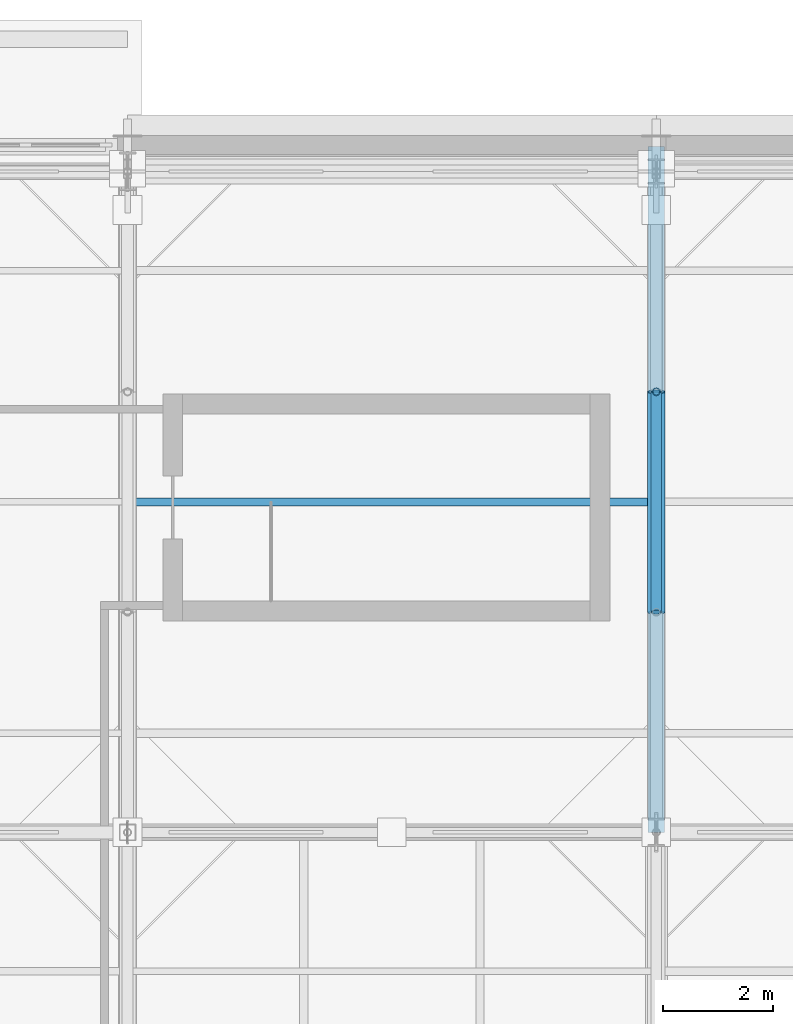
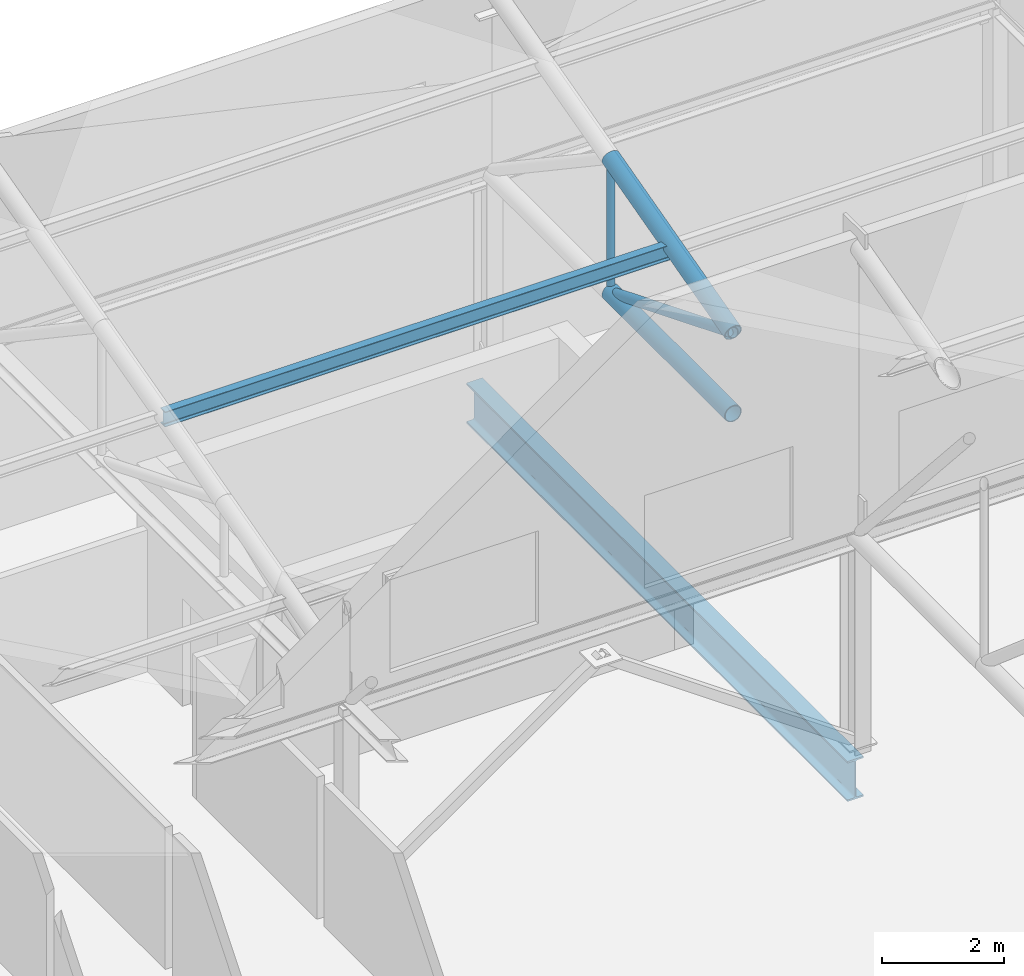
# One storey, part 54 of 89: 5 members, 1 beam.
"""IFC4 building model written with IfcOpenShell, lengths in metres."""

from ifc_helpers import new_model, si_unit, direction, frame, origin, origin_2d, place, context, subcontext, project, spatial, hollow_circle, i_section, extrude, material, material_profile, profile_set, type_object, element, save


model = new_model("IFC4")

# Units and contexts
model_context = context("Model", 3, precision=1e-05, world=origin(), true_north=direction((0.0, 1.0)))
body_context = subcontext(model_context, "Body", "Model", "MODEL_VIEW")
ifc_project = project(units=[si_unit("LENGTHUNIT", "METRE"), si_unit("AREAUNIT", "SQUARE_METRE"), si_unit("VOLUMEUNIT", "CUBIC_METRE"), si_unit("PLANEANGLEUNIT", "RADIAN"), si_unit("MASSUNIT", "GRAM", prefix="KILO")], contexts=[model_context])

# Site, building, storey
site_placement = place(None, origin())
site = spatial("IfcSite", under=ifc_project, at=site_placement, CompositionType="ELEMENT")
building_placement = place(site_placement, origin())
building = spatial("IfcBuilding", under=site, at=building_placement, Name="Zereglee Splitstone Museum", CompositionType="ELEMENT")
storey_placement = place(building_placement, frame((0.0, 0.0, 21.300048828125)))
storey = spatial("IfcBuildingStorey", under=building, at=storey_placement, Name="L04", CompositionType="ELEMENT", Elevation=21.300048828125)

# Members
ifc_material_1 = material(Name="Steel S355J2H", Category="steel")
ifc_material_profile_1 = material_profile(ifc_material_1, hollow_circle(Radius=0.096923828125, WallThickness=0.010009765625, at=origin_2d()), Name="CHS 193.7x10")
ifc_profile_set_1 = profile_set([ifc_material_profile_1], Name="Steel S355J2H")
member_type_1 = type_object("IfcMemberType", Name="TB-04", PredefinedType="BRACE", material=ifc_profile_set_1)
member_1_placement = place(storey_placement, frame((135.60009765625, 46.39990234375, 4.199951171875), z_axis=(0.0, -0.927136001435, 0.374725012299), x_axis=(1.0, 0.0, 0.0)))
element("IfcMember", 1, at=member_1_placement, inside=storey, type_object=member_type_1, Name="Roof Truss ST-07 Diagonal 3.2", PredefinedType="BRACE", context=body_context, shape_type="SweptSolid", body=[
    extrude(hollow_circle(Radius=0.096923828125, WallThickness=0.010009765625, at=origin_2d()), origin(), (0.0, 0.0, 1.0), 4.314453125),
])
ifc_material_profile_2 = material_profile(ifc_material_1, hollow_circle(Radius=0.161865234375, WallThickness=0.01611328125, at=origin_2d()), Name="CHS 323.9x16")
ifc_profile_set_2 = profile_set([ifc_material_profile_2], Name="Steel S355J2H")
member_type_2 = type_object("IfcMemberType", Name="TC-05", PredefinedType="CHORD", material=ifc_profile_set_2)
member_2_placement = place(storey_placement, frame((135.60009765625, 42.39990234375, 4.199951171875), z_axis=(0.0, 1.0, 0.0), x_axis=(-1.0, 0.0, 0.0)))
element("IfcMember", 2, at=member_2_placement, inside=storey, type_object=member_type_2, Name="Roof Truss ST-07 Bottom Chord 3.2", PredefinedType="CHORD", context=body_context, shape_type="SweptSolid", body=[
    extrude(hollow_circle(Radius=0.161865234375, WallThickness=0.01611328125, at=origin_2d()), origin(), (0.0, 0.0, 1.0), 4.0),
])
member_3_placement = place(storey_placement, frame((135.60009765625, 42.39990234375, 5.816650390625), z_axis=(0.0, 0.966235918422, 0.257658979955), x_axis=(-1.0, 0.0, 0.0)))
element("IfcMember", 3, at=member_3_placement, inside=storey, type_object=member_type_2, Name="Roof Truss ST-07 Top Chord 3.2", PredefinedType="CHORD", context=body_context, shape_type="SweptSolid", body=[
    extrude(hollow_circle(Radius=0.161865234375, WallThickness=0.01611328125, at=origin_2d()), origin(), (0.0, 0.0, 1.0), 4.139892578125),
])

# Beam
ifc_material_2 = material(Name="Steel S355J2", Category="steel")
ifc_material_profile_3 = material_profile(ifc_material_2, i_section(OverallWidth=0.300048828125, OverallDepth=0.800048828125, WebThickness=0.017578125, FlangeThickness=0.032958984375, FilletRadius=0.030029296875, at=origin_2d()), Name="HE 800 B")
ifc_profile_set_3 = profile_set([ifc_material_profile_3], Name="Steel S355J2")
beam_type = type_object("IfcBeamType", Name="BG-07", PredefinedType="BEAM", material=ifc_profile_set_3)
beam_placement = place(storey_placement, frame((135.60009765625, 38.39990234375, -0.66015625), z_axis=(0.0, 1.0, 0.0), x_axis=(-1.0, 0.0, 0.0)))
element("IfcBeam", 4, at=beam_placement, inside=storey, type_object=beam_type, Name="Primary Girder L04 16 (38.4-50.9)", PredefinedType="BEAM", context=body_context, shape_type="SweptSolid", body=[
    extrude(i_section(OverallWidth=0.300048828125, OverallDepth=0.800048828125, WebThickness=0.017578125, FlangeThickness=0.032958984375, FilletRadius=0.030029296875, at=origin_2d()), origin(), (0.0, 0.0, 1.0), 12.4501953125),
])

# Members
ifc_material_profile_4 = material_profile(ifc_material_1, hollow_circle(Radius=0.06982421875, WallThickness=0.008056640625, at=origin_2d()), Name="CHS 139.7x8")
ifc_profile_set_4 = profile_set([ifc_material_profile_4], Name="Steel S355J2H")
member_type_3 = type_object("IfcMemberType", Name="TP-03", PredefinedType="POST", material=ifc_profile_set_4)
member_4_placement = place(storey_placement, frame((135.60009765625, 46.39990234375, 4.199951171875), z_axis=(0.0, 0.0, 1.0), x_axis=(1.0, 0.0, 0.0)))
element("IfcMember", 5, at=member_4_placement, inside=storey, type_object=member_type_3, Name="Roof Truss ST-07 Post 3.2", PredefinedType="POST", context=body_context, shape_type="SweptSolid", body=[
    extrude(hollow_circle(Radius=0.06982421875, WallThickness=0.008056640625, at=origin_2d()), origin(), (0.0, 0.0, 1.0), 2.683349609375),
])
ifc_material_profile_5 = material_profile(ifc_material_2, i_section(OverallWidth=0.14990234375, OverallDepth=0.300048828125, WebThickness=0.007080078125, FlangeThickness=0.0107421875, FilletRadius=0.014892578125, at=origin_2d()), Name="IPE 300")
ifc_profile_set_5 = profile_set([ifc_material_profile_5], Name="Steel S355J2")
member_type_4 = type_object("IfcMemberType", Name="PR-01", PredefinedType="PURLIN", material=ifc_profile_set_5)
member_5_placement = place(storey_placement, frame((126.0, 44.39990234375, 6.273193359375), z_axis=(1.0, 0.0, 0.0), x_axis=(0.0, 1.0, 0.0)))
element("IfcMember", 6, at=member_5_placement, inside=storey, type_object=member_type_4, Name="Sawtooth Roof Purlin B6-S3-2", PredefinedType="PURLIN", context=body_context, shape_type="SweptSolid", body=[
    extrude(i_section(OverallWidth=0.14990234375, OverallDepth=0.300048828125, WebThickness=0.007080078125, FlangeThickness=0.0107421875, FilletRadius=0.014892578125, at=origin_2d()), origin(), (0.0, 0.0, 1.0), 9.60009765625),
])

save(model, "model.ifc")
